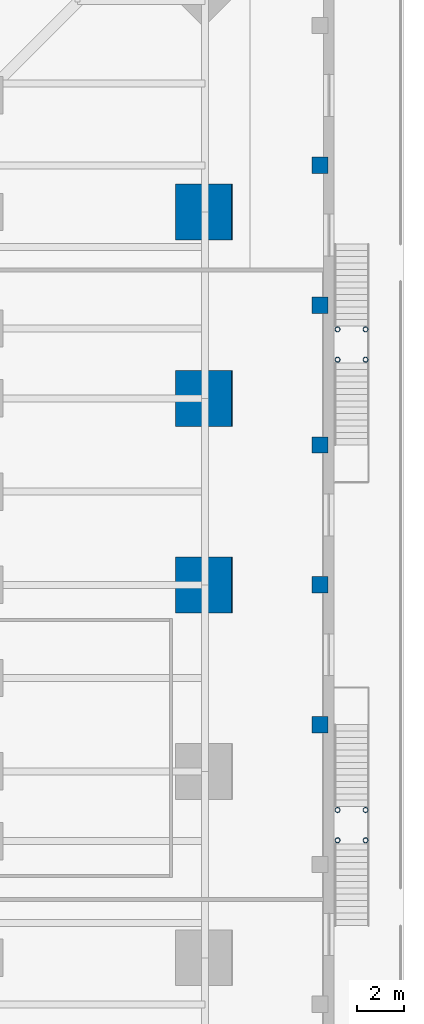
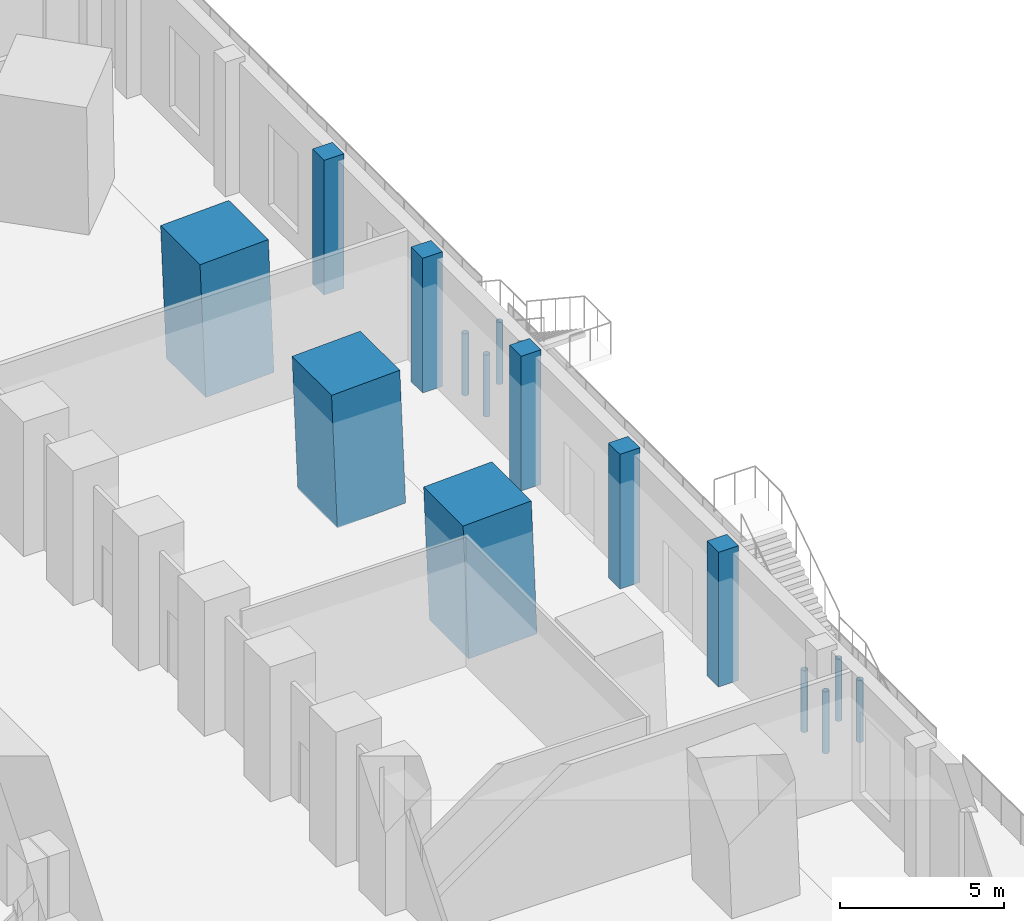
# One storey, part 6 of 20: 16 columns.
"""IFC4 building model written with IfcOpenShell, lengths in metres."""

import ifcopenshell
import ifcopenshell.guid

model = None  # the IFC model being written
_history = None  # IfcOwnerHistory: only IFC2X3 demands one
_inside = {}  # id of a spatial element -> (the spatial element, [elements in it])
_under = {}  # id of a project, library or spatial element -> (it, [spatial elements below it])
_declared = {}  # id of a project -> (the project, [libraries it declares])
_typed = {}  # id of a type object -> (the type object, [elements of that type])
_made_of = {}  # id of a material, layer set ... -> (it, [elements and type objects made of it])


def new_model(schema):
    """Start an empty IFC model of exactly this schema.

    Asked for "IFC4X3", IfcOpenShell would pick the latest addendum, in which some entities
    have other attributes; the version numbers below select the first issue.
    IFC2X3 requires an IfcOwnerHistory on every rooted entity: one is made here for all.
    """
    global model, _history
    if schema == "IFC4X3":
        model = ifcopenshell.file(schema_version=(4, 3, 0, 0))
    else:
        model = ifcopenshell.file(schema=schema)
    _inside.clear()
    _under.clear()
    _declared.clear()
    _typed.clear()
    _made_of.clear()
    _history = None
    if model.schema == "IFC2X3":
        org = make("IfcOrganization", Name="unknown")
        user = make(
            "IfcPersonAndOrganization",
            ThePerson=make("IfcPerson", FamilyName="unknown"),
            TheOrganization=org,
        )
        app = make(
            "IfcApplication",
            ApplicationDeveloper=org,
            Version="unknown",
            ApplicationFullName="unknown",
            ApplicationIdentifier="unknown",
        )
        _history = make(
            "IfcOwnerHistory",
            OwningUser=user,
            OwningApplication=app,
            ChangeAction="ADDED",
            CreationDate=0,
        )
    return model


def make(cls, **values):
    """One entity of the class cls with the attributes given. An attribute that is None is left unset."""
    return model.create_entity(
        cls, **{name: value for name, value in values.items() if value is not None}
    )


def rooted(cls, **values):
    """An entity with a GlobalId (a new one), such as an element, a storey or a relation."""
    return make(cls, GlobalId=ifcopenshell.guid.new(), OwnerHistory=_history, **values)


def si_unit(unit_type, name, prefix=None):
    """IfcSIUnit, for example si_unit("LENGTHUNIT", "METRE", prefix="MILLI")."""
    return make("IfcSIUnit", UnitType=unit_type, Prefix=prefix, Name=name)


def assignment(units):
    """IfcUnitAssignment: the units of a project."""
    return None if units is None else make("IfcUnitAssignment", Units=units)


def point(xyz):
    """IfcCartesianPoint."""
    return None if xyz is None else make("IfcCartesianPoint", Coordinates=xyz)


def direction(xyz):
    """IfcDirection."""
    return None if xyz is None else make("IfcDirection", DirectionRatios=xyz)


def frame(location, z_axis=None, x_axis=None):
    """IfcAxis2Placement3D, a coordinate frame: its origin and axes. An axis left out is left unset."""
    return make(
        "IfcAxis2Placement3D",
        Location=point(location),
        Axis=direction(z_axis),
        RefDirection=direction(x_axis),
    )


def frame_2d(location, x_axis=None):
    """IfcAxis2Placement2D, a coordinate frame in the plane: its origin and x axis."""
    return make(
        "IfcAxis2Placement2D", Location=point(location), RefDirection=direction(x_axis)
    )


def origin():
    """The frame at (0, 0, 0) with its axes left unset."""
    return frame((0.0, 0.0, 0.0))


def origin_2d():
    """The frame at (0, 0) in the plane with its x axis left unset."""
    return frame_2d((0.0, 0.0))


def place(relative_to, where):
    """IfcLocalPlacement: puts the frame where relative to a parent placement (None: the world)."""
    return make(
        "IfcLocalPlacement", PlacementRelTo=relative_to, RelativePlacement=where
    )


def context(
    kind, dimensions, precision=None, world=None, true_north=None, identifier=None
):
    """IfcGeometricRepresentationContext, for example the 3D "Model" context."""
    return make(
        "IfcGeometricRepresentationContext",
        ContextIdentifier=identifier,
        ContextType=kind,
        CoordinateSpaceDimension=dimensions,
        Precision=precision,
        WorldCoordinateSystem=world,
        TrueNorth=true_north,
    )


def subcontext(parent, identifier, kind, view, scale=None):
    """IfcGeometricRepresentationSubContext, for example "Body" below "Model"."""
    return make(
        "IfcGeometricRepresentationSubContext",
        ContextIdentifier=identifier,
        ContextType=kind,
        ParentContext=parent,
        TargetScale=scale,
        TargetView=view,
    )


def project(units=None, contexts=None):
    """IfcProject with its units and contexts."""
    return rooted(
        "IfcProject",
        Name="project",
        RepresentationContexts=contexts,
        UnitsInContext=assignment(units),
    )


def spatial(cls, under=None, at=None, **own):
    """A site, building, storey or space (cls), placed at a placement, below another one or the project."""
    s = rooted(cls, ObjectPlacement=at, **own)
    if under is not None:
        _under.setdefault(under.id(), (under, []))[1].append(s)
    return s


def profile(cls, at=None, kind="AREA", **sizes):
    """A parametric profile (cls). Its sizes go by their IFC names, for example OverallWidth=200.0."""
    return make(cls, ProfileType=kind, Position=at, **sizes)


def rectangle(**sizes):
    """IfcRectangleProfileDef."""
    return profile("IfcRectangleProfileDef", **sizes)


def hollow_circle(**sizes):
    """IfcCircleHollowProfileDef."""
    return profile("IfcCircleHollowProfileDef", **sizes)


def extrude(swept, where, along, depth):
    """IfcExtrudedAreaSolid: the profile swept, set in the frame where, extruded along a direction by depth."""
    return make(
        "IfcExtrudedAreaSolid",
        SweptArea=swept,
        Position=where,
        ExtrudedDirection=direction(along),
        Depth=depth,
    )


def shape(context_of_items, identifier, shape_type, items):
    """IfcShapeRepresentation: the items that make up one representation, for example the "Body"."""
    return make(
        "IfcShapeRepresentation",
        ContextOfItems=context_of_items,
        RepresentationIdentifier=identifier,
        RepresentationType=shape_type,
        Items=items,
    )


def material(Name=None, Category=None):
    """IfcMaterial."""
    return make("IfcMaterial", Name=Name, Category=Category)


def material_profile(
    of_material, cross_section, Name=None, Category=None, Priority=None
):
    """IfcMaterialProfile: a cross section and its material."""
    return make(
        "IfcMaterialProfile",
        Name=Name,
        Material=of_material,
        Profile=cross_section,
        Priority=Priority,
        Category=Category,
    )


def profile_set(profiles, Name=None, composite=None):
    """IfcMaterialProfileSet."""
    return make(
        "IfcMaterialProfileSet",
        Name=Name,
        MaterialProfiles=profiles,
        CompositeProfile=composite,
    )


def made_of(thing, what):
    """Note that an element or type object is made of a material, layer set ...; save() writes the relation."""
    if what is not None:
        _made_of.setdefault(what.id(), (what, []))[1].append(thing)
    return thing


def type_object(cls, material=None, **own):
    """A type object (cls), such as IfcWallType, which elements share."""
    return made_of(rooted(cls, **own), material)


def element(
    cls,
    number,
    at=None,
    inside=None,
    cuts=None,
    type_object=None,
    material=None,
    context=None,
    identifier="Body",
    shape_type=None,
    held_by="IfcProductDefinitionShape",
    body=None,
    shapes=None,
    **own,
):
    """One element of the class cls, such as IfcWall. Its Tag is "e" and its number.

    at: its placement. inside: the storey or other place that contains it. cuts: it is an
    opening in that element (IfcRelVoidsElement). A single representation is given by context,
    identifier, shape_type and body (its items); several are given by shapes. held_by: the class
    of the entity that holds the representations. save() writes the other relations.
    """
    e = rooted(cls, Tag="e%d" % number, ObjectPlacement=at, **own)
    if body is not None:
        shapes = [shape(context, identifier, shape_type, body)]
    if shapes is not None:
        e.Representation = make(held_by, Representations=shapes)
    if inside is not None:
        _inside.setdefault(inside.id(), (inside, []))[1].append(e)
    if cuts is not None:
        rooted(
            "IfcRelVoidsElement", RelatingBuildingElement=cuts, RelatedOpeningElement=e
        )
    if type_object is not None:
        _typed.setdefault(type_object.id(), (type_object, []))[1].append(e)
    return made_of(e, material)


def aggregate(whole, parts):
    """IfcRelAggregates: a whole, such as a stair, and the parts it consists of."""
    return rooted("IfcRelAggregates", RelatingObject=whole, RelatedObjects=parts)


def save(model, path):
    """Write the relations noted so far, then the file.

    IfcRelAggregates (storeys below a building ...), IfcRelContainedInSpatialStructure (elements
    in a storey), IfcRelDefinesByType, IfcRelAssociatesMaterial and IfcRelDeclares: one each for
    every whole, place, type object, material and project.
    """
    for whole, parts in _under.values():
        aggregate(whole, parts)
    for where, things in _inside.values():
        rooted(
            "IfcRelContainedInSpatialStructure",
            RelatedElements=things,
            RelatingStructure=where,
        )
    for kind, things in _typed.values():
        rooted("IfcRelDefinesByType", RelatedObjects=things, RelatingType=kind)
    for what, things in _made_of.values():
        rooted("IfcRelAssociatesMaterial", RelatedObjects=things, RelatingMaterial=what)
    for by, libraries in _declared.values():
        rooted("IfcRelDeclares", RelatingContext=by, RelatedDefinitions=libraries)
    model.write(path)


model = new_model("IFC4")

# Units and contexts
model_context = context("Model", 3, precision=1e-05, world=origin(), true_north=direction((0.0, 1.0)))
body_context = subcontext(model_context, "Body", "Model", "MODEL_VIEW")
ifc_project = project(units=[si_unit("LENGTHUNIT", "METRE"), si_unit("AREAUNIT", "SQUARE_METRE"), si_unit("VOLUMEUNIT", "CUBIC_METRE"), si_unit("PLANEANGLEUNIT", "RADIAN"), si_unit("MASSUNIT", "GRAM", prefix="KILO")], contexts=[model_context])

# Site, building, storey
site_placement = place(None, origin())
site = spatial("IfcSite", under=ifc_project, at=site_placement, CompositionType="ELEMENT")
building_placement = place(site_placement, origin())
building = spatial("IfcBuilding", under=site, at=building_placement, Name="Peilmerk Tower", CompositionType="ELEMENT")
storey_placement = place(building_placement, frame((0.0, 0.0, 11.0)))
storey = spatial("IfcBuildingStorey", under=building, at=storey_placement, Name="L02", CompositionType="ELEMENT", Elevation=11.0)

# Columns
ifc_material_1 = material(Name="Concrete C55/67", Category="concrete")
ifc_material_profile_1 = material_profile(ifc_material_1, rectangle(XDim=0.699951171875, YDim=0.699951171875, at=origin_2d()), Name="RC 700x700")
ifc_profile_set_1 = profile_set([ifc_material_profile_1], Name="Concrete C55/67")
column_type_1 = type_object("IfcColumnType", Name="PC1 700x700 podium column", PredefinedType="COLUMN", material=ifc_profile_set_1)
for number, where, z_axis, x_axis, name in (
    (1, (35.39990234375, -6.0, 0.0), (0.0, 0.0, 1.0), (1.0, 0.0, 0.0), "Podium column ring A L02"),
    (2, (35.39990234375, 0.0, 0.0), (0.0, 0.0, 1.0), (1.0, 0.0, 0.0), "Podium column ring A L02"),
    (3, (35.39990234375, 6.0, 0.0), (0.0, 0.0, 1.0), (1.0, 0.0, 0.0), "Podium column ring A L02"),
    (4, (35.39990234375, 12.0, 0.0), (0.0, 0.0, 1.0), (1.0, 0.0, 0.0), "Podium column ring A L02"),
    (5, (35.39990234375, 18.0, 0.0), (0.0, 0.0, 1.0), (1.0, 0.0, 0.0), "Podium column ring A L02"),
):
    element("IfcColumn", number, at=place(storey_placement, frame(where, z_axis=z_axis, x_axis=x_axis)), inside=storey, type_object=column_type_1, Name=name, PredefinedType="COLUMN", context=body_context, shape_type="SweptSolid", body=[
        extrude(rectangle(XDim=0.699951171875, YDim=0.699951171875, at=origin_2d()), origin(), (0.0, 0.0, 1.0), 5.0),
    ])
ifc_material_2 = material(Name="Concrete C90/105", Category="concrete")
ifc_material_profile_2 = material_profile(ifc_material_2, rectangle(XDim=2.39990234375, YDim=2.39990234375, at=origin_2d()), Name="RC 2400x2400")
ifc_profile_set_2 = profile_set([ifc_material_profile_2], Name="Concrete C90/105")
column_type_2 = type_object("IfcColumnType", Name="SC1 2400x2400 encased perimeter column", PredefinedType="COLUMN", material=ifc_profile_set_2)
for number, where, z_axis, x_axis, name in (
    (6, (30.453125, 0.0, 0.0), (-0.040250558339, 0.0, 0.999189617917), (0.0, -1.0, 0.0), "Perimeter column E+0 L02"),
    (7, (30.453125, 8.0, 0.0), (-0.040250558339, 0.0, 0.999189617917), (0.0, -1.0, 0.0), "Perimeter column E+8 L02"),
    (8, (30.453125, 16.0, 0.0), (-0.040250558339, 0.0, 0.999189617917), (0.0, -1.0, 0.0), "Perimeter column E+16 L02"),
):
    element("IfcColumn", number, at=place(storey_placement, frame(where, z_axis=z_axis, x_axis=x_axis)), inside=storey, type_object=column_type_2, Name=name, PredefinedType="COLUMN", context=body_context, shape_type="SweptSolid", body=[
        extrude(rectangle(XDim=2.39990234375, YDim=2.39990234375, at=origin_2d()), origin(), (0.0, 0.0, 1.0), 5.004150390625),
    ])
ifc_material_3 = material(Name="Steel S355", Category="steel")
ifc_material_profile_3 = material_profile(ifc_material_3, hollow_circle(Radius=0.109619140625, WallThickness=0.012451171875, at=origin_2d()), Name="CHS 219.1x12.5")
ifc_profile_set_3 = profile_set([ifc_material_profile_3], Name="Steel S355")
column_type_3 = type_object("IfcColumnType", Name="SC12 CHS 219.1x12.5 external stair post", PredefinedType="COLUMN", material=ifc_profile_set_3)
for number, where, z_axis, x_axis, name in (
    (9, (36.14990234375, 9.659912109375, 0.0), (0.0, 0.0, 1.0), (1.0, 0.0, 0.0), "External stair 3 post L02"),
    (10, (37.35009765625, 9.659912109375, 0.0), (0.0, 0.0, 1.0), (1.0, 0.0, 0.0), "External stair 3 post L02"),
    (11, (36.14990234375, 10.9599609375, 0.0), (0.0, 0.0, 1.0), (1.0, 0.0, 0.0), "External stair 3 post L02"),
    (12, (37.35009765625, 10.9599609375, 0.0), (0.0, 0.0, 1.0), (1.0, 0.0, 0.0), "External stair 3 post L02"),
    (13, (36.14990234375, -10.9599609375, 0.0), (0.0, 0.0, 1.0), (1.0, 0.0, 0.0), "External stair 4 post L02"),
    (14, (37.35009765625, -10.9599609375, 0.0), (0.0, 0.0, 1.0), (1.0, 0.0, 0.0), "External stair 4 post L02"),
    (15, (36.14990234375, -9.659912109375, 0.0), (0.0, 0.0, 1.0), (1.0, 0.0, 0.0), "External stair 4 post L02"),
    (16, (37.35009765625, -9.659912109375, 0.0), (0.0, 0.0, 1.0), (1.0, 0.0, 0.0), "External stair 4 post L02"),
):
    element("IfcColumn", number, at=place(storey_placement, frame(where, z_axis=z_axis, x_axis=x_axis)), inside=storey, type_object=column_type_3, Name=name, PredefinedType="COLUMN", context=body_context, shape_type="SweptSolid", body=[
        extrude(hollow_circle(Radius=0.109619140625, WallThickness=0.012451171875, at=origin_2d()), origin(), (0.0, 0.0, 1.0), 2.300048828125),
    ])

save(model, "model.ifc")
